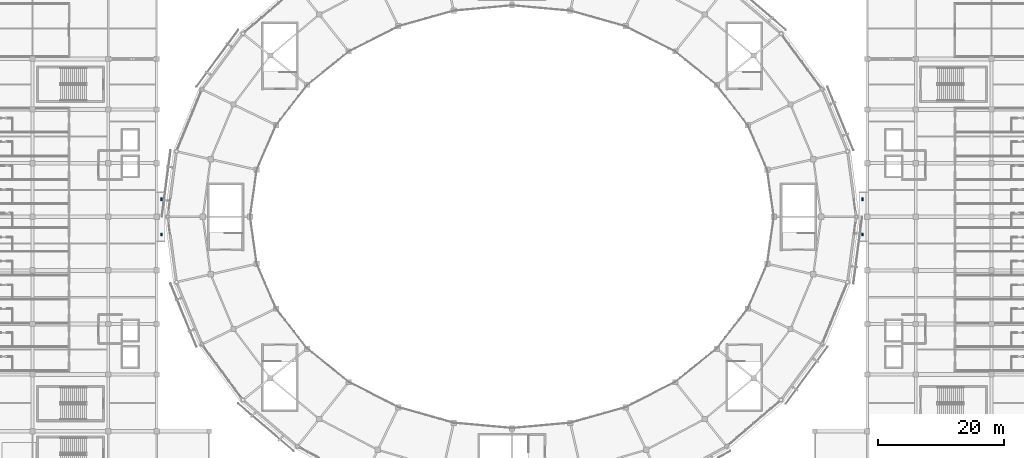
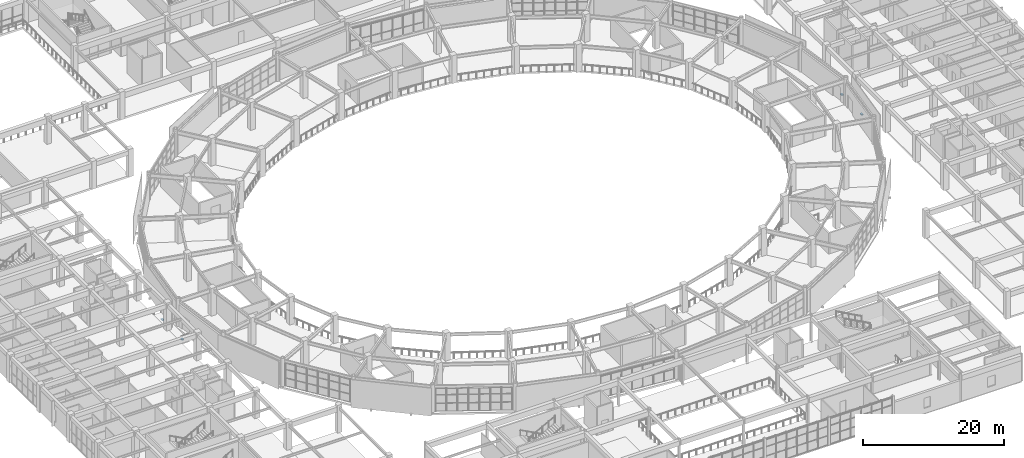
# One storey, part 95 of 112: 4 discrete accessories.
"""IFC4 building model written with IfcOpenShell, lengths in metres."""

import ifcopenshell
import ifcopenshell.guid

model = None  # the IFC model being written
_history = None  # IfcOwnerHistory: only IFC2X3 demands one
_inside = {}  # id of a spatial element -> (the spatial element, [elements in it])
_under = {}  # id of a project, library or spatial element -> (it, [spatial elements below it])
_declared = {}  # id of a project -> (the project, [libraries it declares])
_typed = {}  # id of a type object -> (the type object, [elements of that type])
_made_of = {}  # id of a material, layer set ... -> (it, [elements and type objects made of it])


def new_model(schema):
    """Start an empty IFC model of exactly this schema.

    Asked for "IFC4X3", IfcOpenShell would pick the latest addendum, in which some entities
    have other attributes; the version numbers below select the first issue.
    IFC2X3 requires an IfcOwnerHistory on every rooted entity: one is made here for all.
    """
    global model, _history
    if schema == "IFC4X3":
        model = ifcopenshell.file(schema_version=(4, 3, 0, 0))
    else:
        model = ifcopenshell.file(schema=schema)
    _inside.clear()
    _under.clear()
    _declared.clear()
    _typed.clear()
    _made_of.clear()
    _history = None
    if model.schema == "IFC2X3":
        org = make("IfcOrganization", Name="unknown")
        user = make(
            "IfcPersonAndOrganization",
            ThePerson=make("IfcPerson", FamilyName="unknown"),
            TheOrganization=org,
        )
        app = make(
            "IfcApplication",
            ApplicationDeveloper=org,
            Version="unknown",
            ApplicationFullName="unknown",
            ApplicationIdentifier="unknown",
        )
        _history = make(
            "IfcOwnerHistory",
            OwningUser=user,
            OwningApplication=app,
            ChangeAction="ADDED",
            CreationDate=0,
        )
    return model


def make(cls, **values):
    """One entity of the class cls with the attributes given. An attribute that is None is left unset."""
    return model.create_entity(
        cls, **{name: value for name, value in values.items() if value is not None}
    )


def rooted(cls, **values):
    """An entity with a GlobalId (a new one), such as an element, a storey or a relation."""
    return make(cls, GlobalId=ifcopenshell.guid.new(), OwnerHistory=_history, **values)


def si_unit(unit_type, name, prefix=None):
    """IfcSIUnit, for example si_unit("LENGTHUNIT", "METRE", prefix="MILLI")."""
    return make("IfcSIUnit", UnitType=unit_type, Prefix=prefix, Name=name)


def assignment(units):
    """IfcUnitAssignment: the units of a project."""
    return None if units is None else make("IfcUnitAssignment", Units=units)


def point(xyz):
    """IfcCartesianPoint."""
    return None if xyz is None else make("IfcCartesianPoint", Coordinates=xyz)


def direction(xyz):
    """IfcDirection."""
    return None if xyz is None else make("IfcDirection", DirectionRatios=xyz)


def frame(location, z_axis=None, x_axis=None):
    """IfcAxis2Placement3D, a coordinate frame: its origin and axes. An axis left out is left unset."""
    return make(
        "IfcAxis2Placement3D",
        Location=point(location),
        Axis=direction(z_axis),
        RefDirection=direction(x_axis),
    )


def frame_2d(location, x_axis=None):
    """IfcAxis2Placement2D, a coordinate frame in the plane: its origin and x axis."""
    return make(
        "IfcAxis2Placement2D", Location=point(location), RefDirection=direction(x_axis)
    )


def origin():
    """The frame at (0, 0, 0) with its axes left unset."""
    return frame((0.0, 0.0, 0.0))


def origin_2d():
    """The frame at (0, 0) in the plane with its x axis left unset."""
    return frame_2d((0.0, 0.0))


def place(relative_to, where):
    """IfcLocalPlacement: puts the frame where relative to a parent placement (None: the world)."""
    return make(
        "IfcLocalPlacement", PlacementRelTo=relative_to, RelativePlacement=where
    )


def context(
    kind, dimensions, precision=None, world=None, true_north=None, identifier=None
):
    """IfcGeometricRepresentationContext, for example the 3D "Model" context."""
    return make(
        "IfcGeometricRepresentationContext",
        ContextIdentifier=identifier,
        ContextType=kind,
        CoordinateSpaceDimension=dimensions,
        Precision=precision,
        WorldCoordinateSystem=world,
        TrueNorth=true_north,
    )


def subcontext(parent, identifier, kind, view, scale=None):
    """IfcGeometricRepresentationSubContext, for example "Body" below "Model"."""
    return make(
        "IfcGeometricRepresentationSubContext",
        ContextIdentifier=identifier,
        ContextType=kind,
        ParentContext=parent,
        TargetScale=scale,
        TargetView=view,
    )


def project(units=None, contexts=None):
    """IfcProject with its units and contexts."""
    return rooted(
        "IfcProject",
        Name="project",
        RepresentationContexts=contexts,
        UnitsInContext=assignment(units),
    )


def spatial(cls, under=None, at=None, **own):
    """A site, building, storey or space (cls), placed at a placement, below another one or the project."""
    s = rooted(cls, ObjectPlacement=at, **own)
    if under is not None:
        _under.setdefault(under.id(), (under, []))[1].append(s)
    return s


def profile(cls, at=None, kind="AREA", **sizes):
    """A parametric profile (cls). Its sizes go by their IFC names, for example OverallWidth=200.0."""
    return make(cls, ProfileType=kind, Position=at, **sizes)


def rectangle(**sizes):
    """IfcRectangleProfileDef."""
    return profile("IfcRectangleProfileDef", **sizes)


def extrude(swept, where, along, depth):
    """IfcExtrudedAreaSolid: the profile swept, set in the frame where, extruded along a direction by depth."""
    return make(
        "IfcExtrudedAreaSolid",
        SweptArea=swept,
        Position=where,
        ExtrudedDirection=direction(along),
        Depth=depth,
    )


def shape(context_of_items, identifier, shape_type, items):
    """IfcShapeRepresentation: the items that make up one representation, for example the "Body"."""
    return make(
        "IfcShapeRepresentation",
        ContextOfItems=context_of_items,
        RepresentationIdentifier=identifier,
        RepresentationType=shape_type,
        Items=items,
    )


def material(Name=None, Category=None):
    """IfcMaterial."""
    return make("IfcMaterial", Name=Name, Category=Category)


def made_of(thing, what):
    """Note that an element or type object is made of a material, layer set ...; save() writes the relation."""
    if what is not None:
        _made_of.setdefault(what.id(), (what, []))[1].append(thing)
    return thing


def type_object(cls, material=None, **own):
    """A type object (cls), such as IfcWallType, which elements share."""
    return made_of(rooted(cls, **own), material)


def element(
    cls,
    number,
    at=None,
    inside=None,
    cuts=None,
    type_object=None,
    material=None,
    context=None,
    identifier="Body",
    shape_type=None,
    held_by="IfcProductDefinitionShape",
    body=None,
    shapes=None,
    **own,
):
    """One element of the class cls, such as IfcWall. Its Tag is "e" and its number.

    at: its placement. inside: the storey or other place that contains it. cuts: it is an
    opening in that element (IfcRelVoidsElement). A single representation is given by context,
    identifier, shape_type and body (its items); several are given by shapes. held_by: the class
    of the entity that holds the representations. save() writes the other relations.
    """
    e = rooted(cls, Tag="e%d" % number, ObjectPlacement=at, **own)
    if body is not None:
        shapes = [shape(context, identifier, shape_type, body)]
    if shapes is not None:
        e.Representation = make(held_by, Representations=shapes)
    if inside is not None:
        _inside.setdefault(inside.id(), (inside, []))[1].append(e)
    if cuts is not None:
        rooted(
            "IfcRelVoidsElement", RelatingBuildingElement=cuts, RelatedOpeningElement=e
        )
    if type_object is not None:
        _typed.setdefault(type_object.id(), (type_object, []))[1].append(e)
    return made_of(e, material)


def aggregate(whole, parts):
    """IfcRelAggregates: a whole, such as a stair, and the parts it consists of."""
    return rooted("IfcRelAggregates", RelatingObject=whole, RelatedObjects=parts)


def save(model, path):
    """Write the relations noted so far, then the file.

    IfcRelAggregates (storeys below a building ...), IfcRelContainedInSpatialStructure (elements
    in a storey), IfcRelDefinesByType, IfcRelAssociatesMaterial and IfcRelDeclares: one each for
    every whole, place, type object, material and project.
    """
    for whole, parts in _under.values():
        aggregate(whole, parts)
    for where, things in _inside.values():
        rooted(
            "IfcRelContainedInSpatialStructure",
            RelatedElements=things,
            RelatingStructure=where,
        )
    for kind, things in _typed.values():
        rooted("IfcRelDefinesByType", RelatedObjects=things, RelatingType=kind)
    for what, things in _made_of.values():
        rooted("IfcRelAssociatesMaterial", RelatedObjects=things, RelatingMaterial=what)
    for by, libraries in _declared.values():
        rooted("IfcRelDeclares", RelatingContext=by, RelatedDefinitions=libraries)
    model.write(path)


model = new_model("IFC4")

# Units and contexts
model_context = context("Model", 3, precision=1e-05, world=origin(), true_north=direction((0.0, 1.0)))
body_context = subcontext(model_context, "Body", "Model", "MODEL_VIEW")
ifc_project = project(units=[si_unit("LENGTHUNIT", "METRE"), si_unit("AREAUNIT", "SQUARE_METRE"), si_unit("VOLUMEUNIT", "CUBIC_METRE"), si_unit("PLANEANGLEUNIT", "RADIAN"), si_unit("MASSUNIT", "GRAM", prefix="KILO")], contexts=[model_context])

# Site, building, storey
site_placement = place(None, origin())
site = spatial("IfcSite", under=ifc_project, at=site_placement, CompositionType="ELEMENT")
building_placement = place(site_placement, origin())
building = spatial("IfcBuilding", under=site, at=building_placement, Name="Cuetzalor Civic Arena", CompositionType="ELEMENT")
storey_placement = place(building_placement, frame((0.0, 0.0, 11.39990234375)))
storey = spatial("IfcBuildingStorey", under=building, at=storey_placement, Name="L02", CompositionType="ELEMENT", Elevation=11.39990234375)

# Discrete accessories
ifc_material = material(Name="Guided PTFE elastomeric Steel S355 bearing", Category="steel")
discrete_accessory_type = type_object("IfcDiscreteAccessoryType", Name="GuidedSeismicBearing_PTFE", PredefinedType="SHOE", material=ifc_material)
for number, where, z_axis, x_axis, name in (
    (1, (-55.550048828125, -2.800048828125, -0.43994140625), (0.0, 0.0, 1.0), (1.0, 0.0, 0.0), "Guided PTFE Sliding Bridge Bearing V4W-L02-1"),
    (2, (-55.550048828125, 2.800048828125, -0.43994140625), (0.0, 0.0, 1.0), (1.0, 0.0, 0.0), "Guided PTFE Sliding Bridge Bearing V4W-L02-2"),
    (3, (55.550048828125, -2.800048828125, -0.43994140625), (0.0, 0.0, 1.0), (1.0, 0.0, 0.0), "Guided PTFE Sliding Bridge Bearing V4E-L02-1"),
    (4, (55.550048828125, 2.800048828125, -0.43994140625), (0.0, 0.0, 1.0), (1.0, 0.0, 0.0), "Guided PTFE Sliding Bridge Bearing V4E-L02-2"),
):
    element("IfcDiscreteAccessory", number, at=place(storey_placement, frame(where, z_axis=z_axis, x_axis=x_axis)), inside=storey, type_object=discrete_accessory_type, Name=name, PredefinedType="SHOE", context=body_context, shape_type="SweptSolid", body=[
        extrude(rectangle(XDim=0.300048828125, YDim=0.449951171875, at=origin_2d()), origin(), (0.0, 0.0, 1.0), 0.179931640625),
    ])

save(model, "model.ifc")
